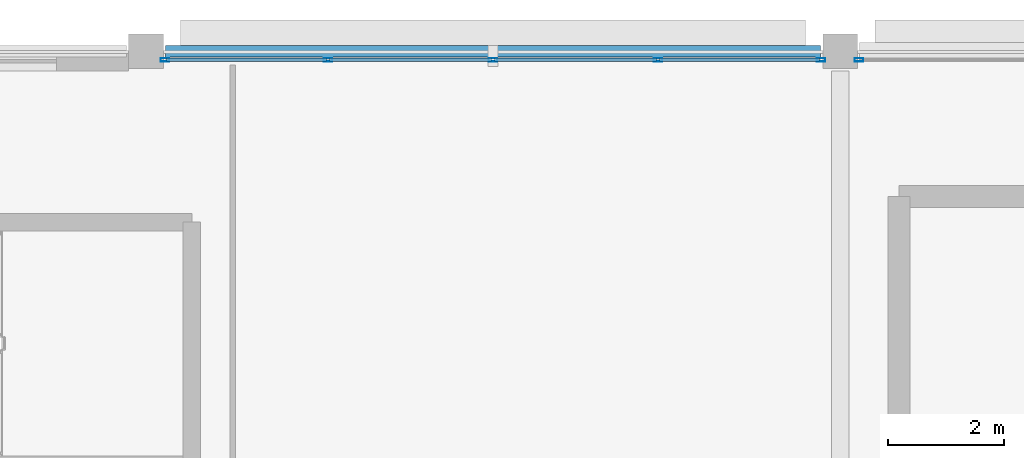
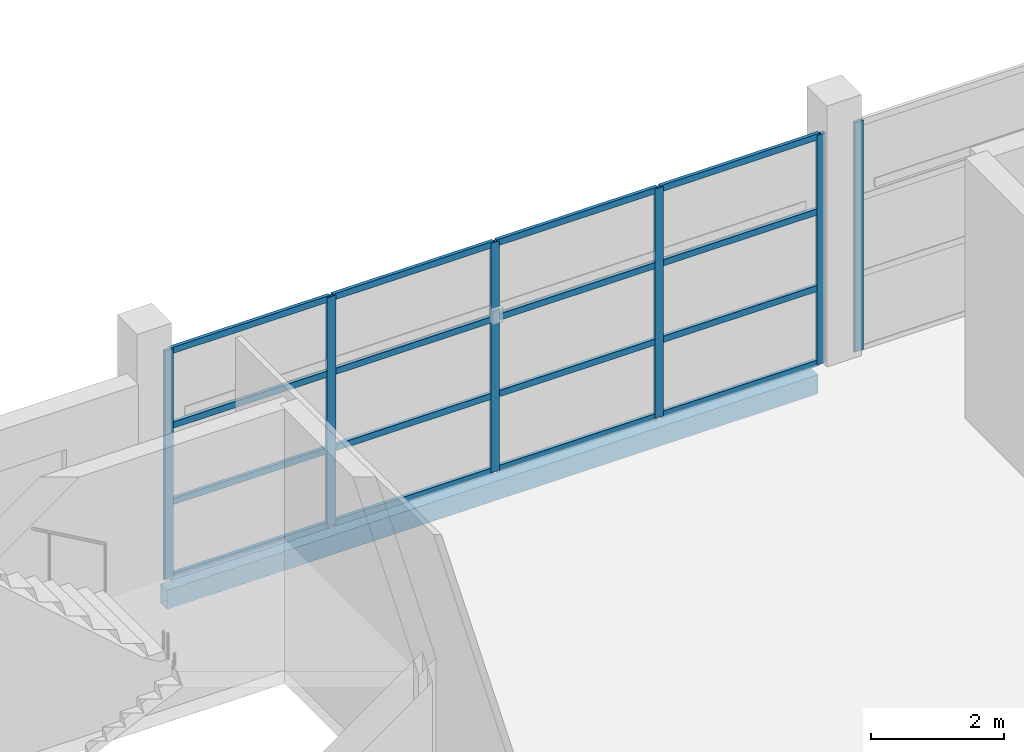
# One storey, part 101 of 134: 22 members, 1 beam, 2 elements without a shape of their own.
"""IFC4 building model written with IfcOpenShell, lengths in metres."""

from ifc_helpers import new_model, si_unit, direction, frame, origin, origin_2d, place, context, subcontext, project, spatial, hollow_rectangle, extrude, material, layer, layer_set, material_profile, profile_set, type_object, element, aggregate, save


model = new_model("IFC4")

# Units and contexts
model_context = context("Model", 3, precision=1e-05, world=origin(), true_north=direction((0.0, 1.0)))
body_context = subcontext(model_context, "Body", "Model", "MODEL_VIEW")
ifc_project = project(units=[si_unit("LENGTHUNIT", "METRE"), si_unit("AREAUNIT", "SQUARE_METRE"), si_unit("VOLUMEUNIT", "CUBIC_METRE"), si_unit("PLANEANGLEUNIT", "RADIAN"), si_unit("MASSUNIT", "GRAM", prefix="KILO")], contexts=[model_context])

# Site, building, storey
site_placement = place(None, origin())
site = spatial("IfcSite", under=ifc_project, at=site_placement, CompositionType="ELEMENT")
building_placement = place(site_placement, origin())
building = spatial("IfcBuilding", under=site, at=building_placement, Name="Tamarisk Ironworks Central Station", CompositionType="ELEMENT")
storey_placement = place(building_placement, frame((0.0, 0.0, 12.60009765625)))
storey = spatial("IfcBuildingStorey", under=building, at=storey_placement, Name="L02", CompositionType="ELEMENT", Elevation=12.60009765625)

# Beam
ifc_material_1 = material(Name="Structural steel S355J2", Category="steel")
ifc_material_profile_1 = material_profile(ifc_material_1, hollow_rectangle(XDim=0.199951171875, YDim=0.35009765625, WallThickness=0.012451171875, at=origin_2d()), Name="RHS 350x200x12.5")
ifc_profile_set_1 = profile_set([ifc_material_profile_1], Name="Structural steel S355J2")
beam_type = type_object("IfcBeamType", Name="BM-SP01", PredefinedType="SPANDREL", material=ifc_profile_set_1)
beam_placement = place(storey_placement, frame((128.337890625, 122.39990234375, -0.425048828125), z_axis=(1.0, 0.0, 0.0), x_axis=(0.0, 1.0, 0.0)))
element("IfcBeam", 1, at=beam_placement, inside=storey, type_object=beam_type, Name="L02 primary girder X-0412", PredefinedType="SPANDREL", context=body_context, shape_type="SweptSolid", body=[
    extrude(hollow_rectangle(XDim=0.199951171875, YDim=0.35009765625, WallThickness=0.012451171875, at=origin_2d()), origin(), (0.0, 0.0, 1.0), 11.32421875),
])

# Curtain wall, members
ifc_material_2 = material(Name="Anodized aluminium alloy 6063-T6", Category="aluminium")
ifc_layer = layer(ifc_material_2, 0.179931640625)
ifc_layer_set = layer_set([ifc_layer], Name="Anodized aluminium alloy 6063-T6")
curtain_wall_type = type_object("IfcCurtainWallType", Name="CW-17", PredefinedType="USERDEFINED", material=ifc_layer_set)
curtain_wall_1_placement = place(storey_placement, origin())
curtain_wall_1 = element("IfcCurtainWall", 2, at=curtain_wall_1_placement, inside=storey, type_object=curtain_wall_type, Name="Operations L02 north facade curtain wall 128", ObjectType="GLAZED CURTAIN WALL", PredefinedType="USERDEFINED")
ifc_material_profile_2 = material_profile(ifc_material_2, hollow_rectangle(XDim=0.06005859375, YDim=0.14990234375, WallThickness=0.00341796875, at=origin_2d()), Name="ALUM 150x60")
ifc_profile_set_2 = profile_set([ifc_material_profile_2], Name="Anodized aluminium alloy 6063-T6")
member_type_1 = type_object("IfcMemberType", Name="CWM-03", PredefinedType="MULLION", material=ifc_profile_set_2)
member_1_placement = place(storey_placement, frame((128.327880859375, 122.25, 0.0), z_axis=(0.0, 0.0, 1.0), x_axis=(0.0, 1.0, 0.0)))
member_1 = element("IfcMember", 3, at=member_1_placement, type_object=member_type_1, Name="CW17 mullion 1", PredefinedType="MULLION", context=body_context, shape_type="SweptSolid", body=[
    extrude(hollow_rectangle(XDim=0.06005859375, YDim=0.14990234375, WallThickness=0.00341796875, at=origin_2d()), origin(), (0.0, 0.0, 1.0), 4.219970703125),
])
member_2_placement = place(storey_placement, frame((131.14892578125, 122.25, 0.0), z_axis=(0.0, 0.0, 1.0), x_axis=(0.0, 1.0, 0.0)))
member_2 = element("IfcMember", 4, at=member_2_placement, type_object=member_type_1, Name="CW17 mullion 2", PredefinedType="MULLION", context=body_context, shape_type="SweptSolid", body=[
    extrude(hollow_rectangle(XDim=0.06005859375, YDim=0.14990234375, WallThickness=0.00341796875, at=origin_2d()), origin(), (0.0, 0.0, 1.0), 4.219970703125),
])
member_3_placement = place(storey_placement, frame((134.0, 122.25, 0.0), z_axis=(0.0, 0.0, 1.0), x_axis=(0.0, 1.0, 0.0)))
member_3 = element("IfcMember", 5, at=member_3_placement, type_object=member_type_1, Name="CW17 mullion 3", PredefinedType="MULLION", context=body_context, shape_type="SweptSolid", body=[
    extrude(hollow_rectangle(XDim=0.06005859375, YDim=0.14990234375, WallThickness=0.00341796875, at=origin_2d()), origin(), (0.0, 0.0, 1.0), 4.219970703125),
])
member_4_placement = place(storey_placement, frame((136.85107421875, 122.25, 0.0), z_axis=(0.0, 0.0, 1.0), x_axis=(0.0, 1.0, 0.0)))
member_4 = element("IfcMember", 6, at=member_4_placement, type_object=member_type_1, Name="CW17 mullion 4", PredefinedType="MULLION", context=body_context, shape_type="SweptSolid", body=[
    extrude(hollow_rectangle(XDim=0.06005859375, YDim=0.14990234375, WallThickness=0.00341796875, at=origin_2d()), origin(), (0.0, 0.0, 1.0), 4.219970703125),
])
member_5_placement = place(storey_placement, frame((139.672119140625, 122.25, 0.0), z_axis=(0.0, 0.0, 1.0), x_axis=(0.0, 1.0, 0.0)))
member_5 = element("IfcMember", 7, at=member_5_placement, type_object=member_type_1, Name="CW17 mullion 5", PredefinedType="MULLION", context=body_context, shape_type="SweptSolid", body=[
    extrude(hollow_rectangle(XDim=0.06005859375, YDim=0.14990234375, WallThickness=0.00341796875, at=origin_2d()), origin(), (0.0, 0.0, 1.0), 4.219970703125),
])

# Curtain wall, member
curtain_wall_2_placement = place(storey_placement, origin())
curtain_wall_2 = element("IfcCurtainWall", 8, at=curtain_wall_2_placement, inside=storey, type_object=curtain_wall_type, Name="Operations L02 north facade curtain wall 140", ObjectType="GLAZED CURTAIN WALL", PredefinedType="USERDEFINED")
member_6_placement = place(storey_placement, frame((140.327880859375, 122.25, 0.0), z_axis=(0.0, 0.0, 1.0), x_axis=(0.0, 1.0, 0.0)))
member_6 = element("IfcMember", 9, at=member_6_placement, type_object=member_type_1, Name="CW17 mullion 1", PredefinedType="MULLION", context=body_context, shape_type="SweptSolid", body=[
    extrude(hollow_rectangle(XDim=0.06005859375, YDim=0.14990234375, WallThickness=0.00341796875, at=origin_2d()), origin(), (0.0, 0.0, 1.0), 4.219970703125),
])
aggregate(curtain_wall_2, [member_6])

# Member
ifc_material_profile_3 = material_profile(ifc_material_2, hollow_rectangle(XDim=0.06005859375, YDim=0.114990234375, WallThickness=0.00341796875, at=origin_2d()), Name="ALUM 115x60")
ifc_profile_set_3 = profile_set([ifc_material_profile_3], Name="Anodized aluminium alloy 6063-T6")
member_type_2 = type_object("IfcMemberType", Name="CWT-03", PredefinedType="USERDEFINED", material=ifc_profile_set_3)
member_7_placement = place(storey_placement, frame((128.35400390625, 122.25, 0.02978515625), z_axis=(1.0, 0.0, 0.0), x_axis=(0.0, 1.0, 0.0)))
member_7 = element("IfcMember", 10, at=member_7_placement, type_object=member_type_2, Name="CW17 transom 1.1", ObjectType="TRANSOM", PredefinedType="USERDEFINED", context=body_context, shape_type="SweptSolid", body=[
    extrude(hollow_rectangle(XDim=0.06005859375, YDim=0.114990234375, WallThickness=0.00341796875, at=origin_2d()), origin(), (0.0, 0.0, 1.0), 2.76904296875),
])

member_8_placement = place(storey_placement, frame((128.35400390625, 122.25, 1.406494140625), z_axis=(1.0, 0.0, 0.0), x_axis=(0.0, 1.0, 0.0)))
member_8 = element("IfcMember", 11, at=member_8_placement, type_object=member_type_2, Name="CW17 transom 1.2", ObjectType="TRANSOM", PredefinedType="USERDEFINED", context=body_context, shape_type="SweptSolid", body=[
    extrude(hollow_rectangle(XDim=0.06005859375, YDim=0.114990234375, WallThickness=0.00341796875, at=origin_2d()), origin(), (0.0, 0.0, 1.0), 2.76904296875),
])

member_9_placement = place(storey_placement, frame((128.35400390625, 122.25, 2.813232421875), z_axis=(1.0, 0.0, 0.0), x_axis=(0.0, 1.0, 0.0)))
member_9 = element("IfcMember", 12, at=member_9_placement, type_object=member_type_2, Name="CW17 transom 1.3", ObjectType="TRANSOM", PredefinedType="USERDEFINED", context=body_context, shape_type="SweptSolid", body=[
    extrude(hollow_rectangle(XDim=0.06005859375, YDim=0.114990234375, WallThickness=0.00341796875, at=origin_2d()), origin(), (0.0, 0.0, 1.0), 2.76904296875),
])

member_10_placement = place(storey_placement, frame((128.35400390625, 122.25, 4.18994140625), z_axis=(1.0, 0.0, 0.0), x_axis=(0.0, 1.0, 0.0)))
member_10 = element("IfcMember", 13, at=member_10_placement, type_object=member_type_2, Name="CW17 transom 1.4", ObjectType="TRANSOM", PredefinedType="USERDEFINED", context=body_context, shape_type="SweptSolid", body=[
    extrude(hollow_rectangle(XDim=0.06005859375, YDim=0.114990234375, WallThickness=0.00341796875, at=origin_2d()), origin(), (0.0, 0.0, 1.0), 2.76904296875),
])

member_11_placement = place(storey_placement, frame((131.175048828125, 122.25, 0.02978515625), z_axis=(1.0, 0.0, 0.0), x_axis=(0.0, 1.0, 0.0)))
member_11 = element("IfcMember", 14, at=member_11_placement, type_object=member_type_2, Name="CW17 transom 2.1", ObjectType="TRANSOM", PredefinedType="USERDEFINED", context=body_context, shape_type="SweptSolid", body=[
    extrude(hollow_rectangle(XDim=0.06005859375, YDim=0.114990234375, WallThickness=0.00341796875, at=origin_2d()), origin(), (0.0, 0.0, 1.0), 2.799072265625),
])

member_12_placement = place(storey_placement, frame((131.175048828125, 122.25, 1.406494140625), z_axis=(1.0, 0.0, 0.0), x_axis=(0.0, 1.0, 0.0)))
member_12 = element("IfcMember", 15, at=member_12_placement, type_object=member_type_2, Name="CW17 transom 2.2", ObjectType="TRANSOM", PredefinedType="USERDEFINED", context=body_context, shape_type="SweptSolid", body=[
    extrude(hollow_rectangle(XDim=0.06005859375, YDim=0.114990234375, WallThickness=0.00341796875, at=origin_2d()), origin(), (0.0, 0.0, 1.0), 2.799072265625),
])

member_13_placement = place(storey_placement, frame((131.175048828125, 122.25, 2.813232421875), z_axis=(1.0, 0.0, 0.0), x_axis=(0.0, 1.0, 0.0)))
member_13 = element("IfcMember", 16, at=member_13_placement, type_object=member_type_2, Name="CW17 transom 2.3", ObjectType="TRANSOM", PredefinedType="USERDEFINED", context=body_context, shape_type="SweptSolid", body=[
    extrude(hollow_rectangle(XDim=0.06005859375, YDim=0.114990234375, WallThickness=0.00341796875, at=origin_2d()), origin(), (0.0, 0.0, 1.0), 2.799072265625),
])

member_14_placement = place(storey_placement, frame((131.175048828125, 122.25, 4.18994140625), z_axis=(1.0, 0.0, 0.0), x_axis=(0.0, 1.0, 0.0)))
member_14 = element("IfcMember", 17, at=member_14_placement, type_object=member_type_2, Name="CW17 transom 2.4", ObjectType="TRANSOM", PredefinedType="USERDEFINED", context=body_context, shape_type="SweptSolid", body=[
    extrude(hollow_rectangle(XDim=0.06005859375, YDim=0.114990234375, WallThickness=0.00341796875, at=origin_2d()), origin(), (0.0, 0.0, 1.0), 2.799072265625),
])

member_15_placement = place(storey_placement, frame((134.02587890625, 122.25, 0.02978515625), z_axis=(1.0, 0.0, 0.0), x_axis=(0.0, 1.0, 0.0)))
member_15 = element("IfcMember", 18, at=member_15_placement, type_object=member_type_2, Name="CW17 transom 3.1", ObjectType="TRANSOM", PredefinedType="USERDEFINED", context=body_context, shape_type="SweptSolid", body=[
    extrude(hollow_rectangle(XDim=0.06005859375, YDim=0.114990234375, WallThickness=0.00341796875, at=origin_2d()), origin(), (0.0, 0.0, 1.0), 2.799072265625),
])

member_16_placement = place(storey_placement, frame((134.02587890625, 122.25, 1.406494140625), z_axis=(1.0, 0.0, 0.0), x_axis=(0.0, 1.0, 0.0)))
member_16 = element("IfcMember", 19, at=member_16_placement, type_object=member_type_2, Name="CW17 transom 3.2", ObjectType="TRANSOM", PredefinedType="USERDEFINED", context=body_context, shape_type="SweptSolid", body=[
    extrude(hollow_rectangle(XDim=0.06005859375, YDim=0.114990234375, WallThickness=0.00341796875, at=origin_2d()), origin(), (0.0, 0.0, 1.0), 2.799072265625),
])

member_17_placement = place(storey_placement, frame((134.02587890625, 122.25, 2.813232421875), z_axis=(1.0, 0.0, 0.0), x_axis=(0.0, 1.0, 0.0)))
member_17 = element("IfcMember", 20, at=member_17_placement, type_object=member_type_2, Name="CW17 transom 3.3", ObjectType="TRANSOM", PredefinedType="USERDEFINED", context=body_context, shape_type="SweptSolid", body=[
    extrude(hollow_rectangle(XDim=0.06005859375, YDim=0.114990234375, WallThickness=0.00341796875, at=origin_2d()), origin(), (0.0, 0.0, 1.0), 2.799072265625),
])

member_18_placement = place(storey_placement, frame((134.02587890625, 122.25, 4.18994140625), z_axis=(1.0, 0.0, 0.0), x_axis=(0.0, 1.0, 0.0)))
member_18 = element("IfcMember", 21, at=member_18_placement, type_object=member_type_2, Name="CW17 transom 3.4", ObjectType="TRANSOM", PredefinedType="USERDEFINED", context=body_context, shape_type="SweptSolid", body=[
    extrude(hollow_rectangle(XDim=0.06005859375, YDim=0.114990234375, WallThickness=0.00341796875, at=origin_2d()), origin(), (0.0, 0.0, 1.0), 2.799072265625),
])

member_19_placement = place(storey_placement, frame((136.876953125, 122.25, 0.02978515625), z_axis=(1.0, 0.0, 0.0), x_axis=(0.0, 1.0, 0.0)))
member_19 = element("IfcMember", 22, at=member_19_placement, type_object=member_type_2, Name="CW17 transom 4.1", ObjectType="TRANSOM", PredefinedType="USERDEFINED", context=body_context, shape_type="SweptSolid", body=[
    extrude(hollow_rectangle(XDim=0.06005859375, YDim=0.114990234375, WallThickness=0.00341796875, at=origin_2d()), origin(), (0.0, 0.0, 1.0), 2.76904296875),
])

member_20_placement = place(storey_placement, frame((136.876953125, 122.25, 1.406494140625), z_axis=(1.0, 0.0, 0.0), x_axis=(0.0, 1.0, 0.0)))
member_20 = element("IfcMember", 23, at=member_20_placement, type_object=member_type_2, Name="CW17 transom 4.2", ObjectType="TRANSOM", PredefinedType="USERDEFINED", context=body_context, shape_type="SweptSolid", body=[
    extrude(hollow_rectangle(XDim=0.06005859375, YDim=0.114990234375, WallThickness=0.00341796875, at=origin_2d()), origin(), (0.0, 0.0, 1.0), 2.76904296875),
])

member_21_placement = place(storey_placement, frame((136.876953125, 122.25, 2.813232421875), z_axis=(1.0, 0.0, 0.0), x_axis=(0.0, 1.0, 0.0)))
member_21 = element("IfcMember", 24, at=member_21_placement, type_object=member_type_2, Name="CW17 transom 4.3", ObjectType="TRANSOM", PredefinedType="USERDEFINED", context=body_context, shape_type="SweptSolid", body=[
    extrude(hollow_rectangle(XDim=0.06005859375, YDim=0.114990234375, WallThickness=0.00341796875, at=origin_2d()), origin(), (0.0, 0.0, 1.0), 2.76904296875),
])

member_22_placement = place(storey_placement, frame((136.876953125, 122.25, 4.18994140625), z_axis=(1.0, 0.0, 0.0), x_axis=(0.0, 1.0, 0.0)))
member_22 = element("IfcMember", 25, at=member_22_placement, type_object=member_type_2, Name="CW17 transom 4.4", ObjectType="TRANSOM", PredefinedType="USERDEFINED", context=body_context, shape_type="SweptSolid", body=[
    extrude(hollow_rectangle(XDim=0.06005859375, YDim=0.114990234375, WallThickness=0.00341796875, at=origin_2d()), origin(), (0.0, 0.0, 1.0), 2.76904296875),
])

aggregate(curtain_wall_1, [member_1, member_2, member_3, member_4, member_5, member_7, member_8, member_9, member_10, member_11, member_12, member_13, member_14, member_15, member_16, member_17, member_18, member_19, member_20, member_21, member_22])

save(model, "model.ifc")
